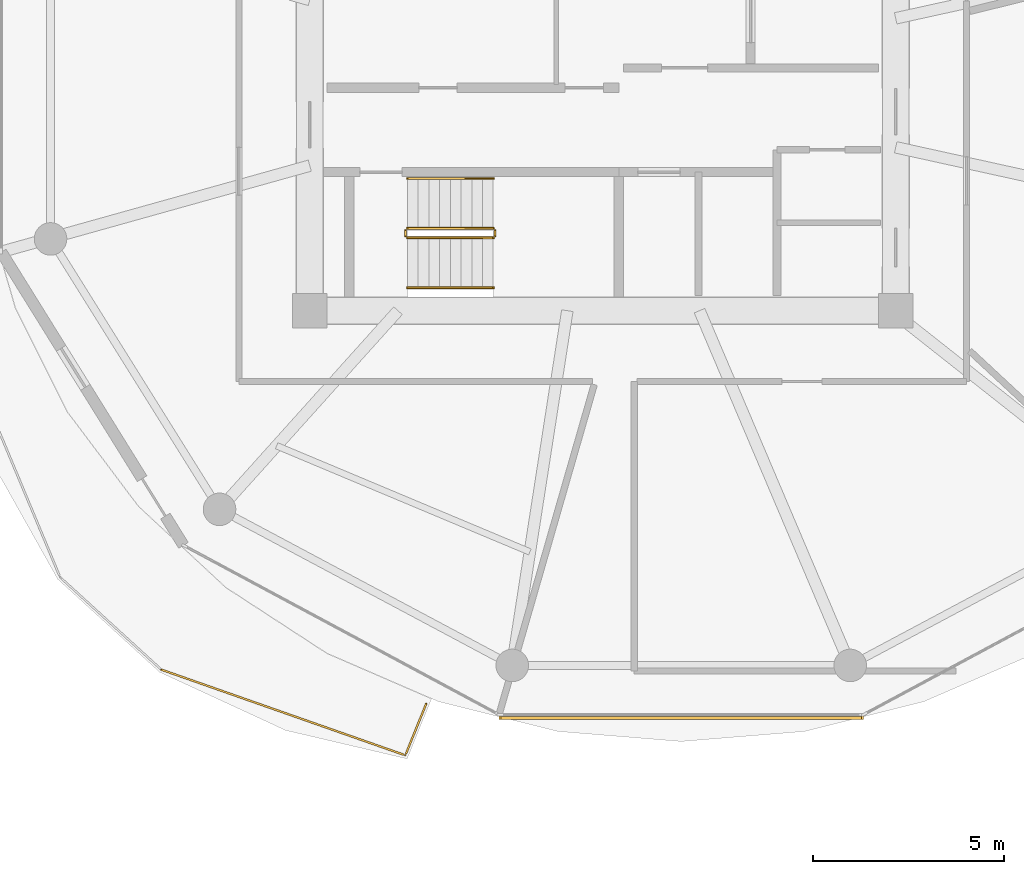
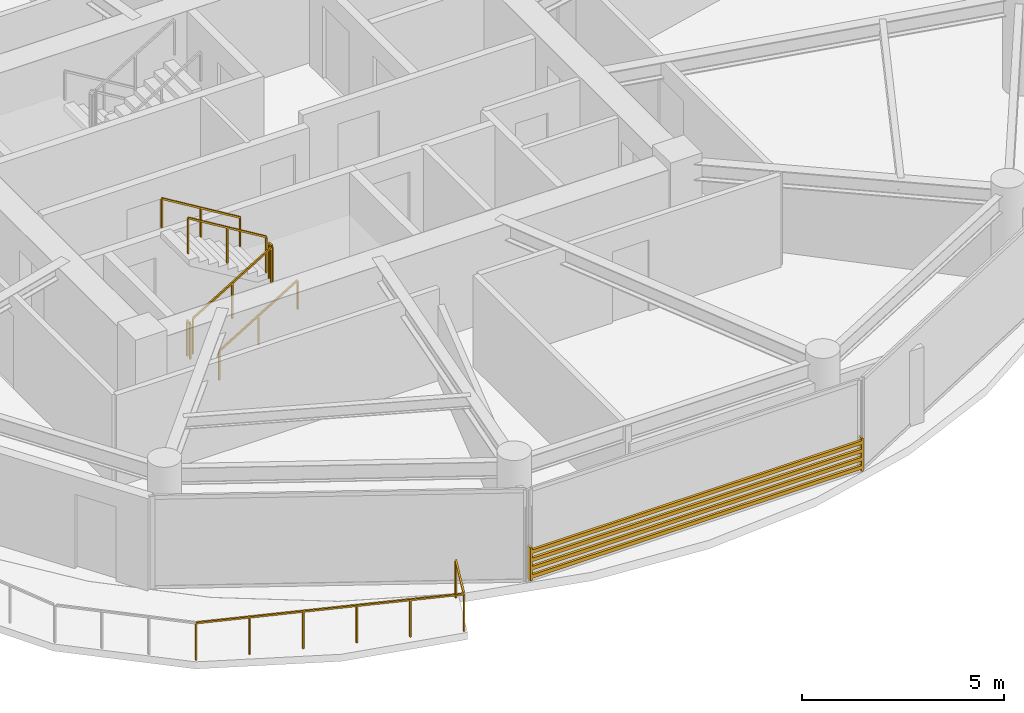
# One storey, part 19 of 23: 7 railings, 1 shading device.
"""IFC4 building model written with IfcOpenShell, lengths in metres."""

import ifcopenshell
import ifcopenshell.guid

model = None  # the IFC model being written
_history = None  # IfcOwnerHistory: only IFC2X3 demands one
_inside = {}  # id of a spatial element -> (the spatial element, [elements in it])
_under = {}  # id of a project, library or spatial element -> (it, [spatial elements below it])
_declared = {}  # id of a project -> (the project, [libraries it declares])
_typed = {}  # id of a type object -> (the type object, [elements of that type])
_made_of = {}  # id of a material, layer set ... -> (it, [elements and type objects made of it])


def new_model(schema):
    """Start an empty IFC model of exactly this schema.

    Asked for "IFC4X3", IfcOpenShell would pick the latest addendum, in which some entities
    have other attributes; the version numbers below select the first issue.
    IFC2X3 requires an IfcOwnerHistory on every rooted entity: one is made here for all.
    """
    global model, _history
    if schema == "IFC4X3":
        model = ifcopenshell.file(schema_version=(4, 3, 0, 0))
    else:
        model = ifcopenshell.file(schema=schema)
    _inside.clear()
    _under.clear()
    _declared.clear()
    _typed.clear()
    _made_of.clear()
    _history = None
    if model.schema == "IFC2X3":
        org = make("IfcOrganization", Name="unknown")
        user = make(
            "IfcPersonAndOrganization",
            ThePerson=make("IfcPerson", FamilyName="unknown"),
            TheOrganization=org,
        )
        app = make(
            "IfcApplication",
            ApplicationDeveloper=org,
            Version="unknown",
            ApplicationFullName="unknown",
            ApplicationIdentifier="unknown",
        )
        _history = make(
            "IfcOwnerHistory",
            OwningUser=user,
            OwningApplication=app,
            ChangeAction="ADDED",
            CreationDate=0,
        )
    return model


def make(cls, **values):
    """One entity of the class cls with the attributes given. An attribute that is None is left unset."""
    return model.create_entity(
        cls, **{name: value for name, value in values.items() if value is not None}
    )


def rooted(cls, **values):
    """An entity with a GlobalId (a new one), such as an element, a storey or a relation."""
    return make(cls, GlobalId=ifcopenshell.guid.new(), OwnerHistory=_history, **values)


def si_unit(unit_type, name, prefix=None):
    """IfcSIUnit, for example si_unit("LENGTHUNIT", "METRE", prefix="MILLI")."""
    return make("IfcSIUnit", UnitType=unit_type, Prefix=prefix, Name=name)


def assignment(units):
    """IfcUnitAssignment: the units of a project."""
    return None if units is None else make("IfcUnitAssignment", Units=units)


def point(xyz):
    """IfcCartesianPoint."""
    return None if xyz is None else make("IfcCartesianPoint", Coordinates=xyz)


def direction(xyz):
    """IfcDirection."""
    return None if xyz is None else make("IfcDirection", DirectionRatios=xyz)


def frame(location, z_axis=None, x_axis=None):
    """IfcAxis2Placement3D, a coordinate frame: its origin and axes. An axis left out is left unset."""
    return make(
        "IfcAxis2Placement3D",
        Location=point(location),
        Axis=direction(z_axis),
        RefDirection=direction(x_axis),
    )


def frame_2d(location, x_axis=None):
    """IfcAxis2Placement2D, a coordinate frame in the plane: its origin and x axis."""
    return make(
        "IfcAxis2Placement2D", Location=point(location), RefDirection=direction(x_axis)
    )


def origin():
    """The frame at (0, 0, 0) with its axes left unset."""
    return frame((0.0, 0.0, 0.0))


def origin_2d():
    """The frame at (0, 0) in the plane with its x axis left unset."""
    return frame_2d((0.0, 0.0))


def place(relative_to, where):
    """IfcLocalPlacement: puts the frame where relative to a parent placement (None: the world)."""
    return make(
        "IfcLocalPlacement", PlacementRelTo=relative_to, RelativePlacement=where
    )


def context(
    kind, dimensions, precision=None, world=None, true_north=None, identifier=None
):
    """IfcGeometricRepresentationContext, for example the 3D "Model" context."""
    return make(
        "IfcGeometricRepresentationContext",
        ContextIdentifier=identifier,
        ContextType=kind,
        CoordinateSpaceDimension=dimensions,
        Precision=precision,
        WorldCoordinateSystem=world,
        TrueNorth=true_north,
    )


def subcontext(parent, identifier, kind, view, scale=None):
    """IfcGeometricRepresentationSubContext, for example "Body" below "Model"."""
    return make(
        "IfcGeometricRepresentationSubContext",
        ContextIdentifier=identifier,
        ContextType=kind,
        ParentContext=parent,
        TargetScale=scale,
        TargetView=view,
    )


def project(units=None, contexts=None):
    """IfcProject with its units and contexts."""
    return rooted(
        "IfcProject",
        Name="project",
        RepresentationContexts=contexts,
        UnitsInContext=assignment(units),
    )


def spatial(cls, under=None, at=None, **own):
    """A site, building, storey or space (cls), placed at a placement, below another one or the project."""
    s = rooted(cls, ObjectPlacement=at, **own)
    if under is not None:
        _under.setdefault(under.id(), (under, []))[1].append(s)
    return s


def profile(cls, at=None, kind="AREA", **sizes):
    """A parametric profile (cls). Its sizes go by their IFC names, for example OverallWidth=200.0."""
    return make(cls, ProfileType=kind, Position=at, **sizes)


def rectangle(**sizes):
    """IfcRectangleProfileDef."""
    return profile("IfcRectangleProfileDef", **sizes)


def extrude(swept, where, along, depth):
    """IfcExtrudedAreaSolid: the profile swept, set in the frame where, extruded along a direction by depth."""
    return make(
        "IfcExtrudedAreaSolid",
        SweptArea=swept,
        Position=where,
        ExtrudedDirection=direction(along),
        Depth=depth,
    )


def shape(context_of_items, identifier, shape_type, items):
    """IfcShapeRepresentation: the items that make up one representation, for example the "Body"."""
    return make(
        "IfcShapeRepresentation",
        ContextOfItems=context_of_items,
        RepresentationIdentifier=identifier,
        RepresentationType=shape_type,
        Items=items,
    )


def source(mapping_origin, context_of_items, identifier, shape_type, items):
    """IfcRepresentationMap: a shape defined once, which mapped items show again and again."""
    return make(
        "IfcRepresentationMap",
        MappingOrigin=mapping_origin,
        MappedRepresentation=shape(context_of_items, identifier, shape_type, items),
    )


def transform(
    local_origin,
    x_axis=None,
    y_axis=None,
    z_axis=None,
    scale=None,
    scale2=None,
    scale3=None,
    uniform=True,
):
    """IfcCartesianTransformationOperator3D, or its non-uniform kind. x_axis, y_axis, z_axis: its Axis1, 2, 3."""
    if uniform:
        return make(
            "IfcCartesianTransformationOperator3D",
            Axis1=direction(x_axis),
            Axis2=direction(y_axis),
            LocalOrigin=point(local_origin),
            Scale=scale,
            Axis3=direction(z_axis),
        )
    return make(
        "IfcCartesianTransformationOperator3DnonUniform",
        Axis1=direction(x_axis),
        Axis2=direction(y_axis),
        LocalOrigin=point(local_origin),
        Scale=scale,
        Axis3=direction(z_axis),
        Scale2=scale2,
        Scale3=scale3,
    )


def mapped(mapping_source, mapping_target):
    """IfcMappedItem: shows the shape of a source again, moved by a transform."""
    return make(
        "IfcMappedItem", MappingSource=mapping_source, MappingTarget=mapping_target
    )


def material(Name=None, Category=None):
    """IfcMaterial."""
    return make("IfcMaterial", Name=Name, Category=Category)


def made_of(thing, what):
    """Note that an element or type object is made of a material, layer set ...; save() writes the relation."""
    if what is not None:
        _made_of.setdefault(what.id(), (what, []))[1].append(thing)
    return thing


def type_object(cls, material=None, **own):
    """A type object (cls), such as IfcWallType, which elements share."""
    return made_of(rooted(cls, **own), material)


def type_shapes(of_type, sources):
    """Give a type object the sources (RepresentationMaps) that its elements show as mapped items."""
    of_type.RepresentationMaps = sources


def element(
    cls,
    number,
    at=None,
    inside=None,
    cuts=None,
    type_object=None,
    material=None,
    context=None,
    identifier="Body",
    shape_type=None,
    held_by="IfcProductDefinitionShape",
    body=None,
    shapes=None,
    **own,
):
    """One element of the class cls, such as IfcWall. Its Tag is "e" and its number.

    at: its placement. inside: the storey or other place that contains it. cuts: it is an
    opening in that element (IfcRelVoidsElement). A single representation is given by context,
    identifier, shape_type and body (its items); several are given by shapes. held_by: the class
    of the entity that holds the representations. save() writes the other relations.
    """
    e = rooted(cls, Tag="e%d" % number, ObjectPlacement=at, **own)
    if body is not None:
        shapes = [shape(context, identifier, shape_type, body)]
    if shapes is not None:
        e.Representation = make(held_by, Representations=shapes)
    if inside is not None:
        _inside.setdefault(inside.id(), (inside, []))[1].append(e)
    if cuts is not None:
        rooted(
            "IfcRelVoidsElement", RelatingBuildingElement=cuts, RelatedOpeningElement=e
        )
    if type_object is not None:
        _typed.setdefault(type_object.id(), (type_object, []))[1].append(e)
    return made_of(e, material)


def aggregate(whole, parts):
    """IfcRelAggregates: a whole, such as a stair, and the parts it consists of."""
    return rooted("IfcRelAggregates", RelatingObject=whole, RelatedObjects=parts)


def save(model, path):
    """Write the relations noted so far, then the file.

    IfcRelAggregates (storeys below a building ...), IfcRelContainedInSpatialStructure (elements
    in a storey), IfcRelDefinesByType, IfcRelAssociatesMaterial and IfcRelDeclares: one each for
    every whole, place, type object, material and project.
    """
    for whole, parts in _under.values():
        aggregate(whole, parts)
    for where, things in _inside.values():
        rooted(
            "IfcRelContainedInSpatialStructure",
            RelatedElements=things,
            RelatingStructure=where,
        )
    for kind, things in _typed.values():
        rooted("IfcRelDefinesByType", RelatedObjects=things, RelatingType=kind)
    for what, things in _made_of.values():
        rooted("IfcRelAssociatesMaterial", RelatedObjects=things, RelatingMaterial=what)
    for by, libraries in _declared.values():
        rooted("IfcRelDeclares", RelatingContext=by, RelatedDefinitions=libraries)
    model.write(path)


model = new_model("IFC4")

# Units and contexts
model_context = context("Model", 3, precision=1e-05, world=origin(), true_north=direction((0.0, 1.0)))
body_context = subcontext(model_context, "Body", "Model", "MODEL_VIEW")
ifc_project = project(units=[si_unit("LENGTHUNIT", "METRE"), si_unit("AREAUNIT", "SQUARE_METRE"), si_unit("VOLUMEUNIT", "CUBIC_METRE"), si_unit("PLANEANGLEUNIT", "RADIAN"), si_unit("MASSUNIT", "GRAM", prefix="KILO")], contexts=[model_context])

# Site, building, storey
site_placement = place(None, origin())
site = spatial("IfcSite", under=ifc_project, at=site_placement, CompositionType="ELEMENT")
building_placement = place(site_placement, origin())
building = spatial("IfcBuilding", under=site, at=building_placement, Name="Norrkilde Senior Care Towers", CompositionType="ELEMENT")
storey_placement = place(building_placement, frame((0.0, 0.0, 93.199951171875)))
storey = spatial("IfcBuildingStorey", under=building, at=storey_placement, Name="L28", CompositionType="ELEMENT", Elevation=93.199951171875)

# Railings
ifc_material_1 = material(Name="Anodised Aluminium", Category="aluminium")
railing_type_1 = type_object("IfcRailingType", Name="Balcony Swirl Ribbon Guardrail 1150", PredefinedType="GUARDRAIL", material=ifc_material_1)
railing_1_placement = place(storey_placement, frame((-32.609375, -16.21484375, 0.0)))
element("IfcRailing", 1, at=railing_1_placement, inside=storey, type_object=railing_type_1, Name="L28 Perimeter Safety Guard 04", PredefinedType="GUARDRAIL", context=body_context, shape_type="SweptSolid", body=[
    extrude(rectangle(XDim=0.048095703125, YDim=0.048095703125, at=origin_2d()), frame((0.0, 0.0, 1.1259765625), z_axis=(-0.375650439653, -0.926761429489, 0.0), x_axis=(0.926761429489, -0.375650439653, 0.0)), (0.0, 0.0, 1.0), 1.410400390625),
    extrude(rectangle(XDim=0.048095703125, YDim=0.048095703125, at=origin_2d()), frame((-0.583740234375, -1.33154296875, 1.1259765625), z_axis=(-0.94354447192, 0.331245874704, 0.0), x_axis=(-0.331245874704, -0.94354447192, 0.0)), (0.0, 0.0, 1.0), 6.71044921875),
    extrude(rectangle(XDim=0.0419921875, YDim=0.0419921875, at=origin_2d()), origin(), (0.0, 0.0, 1.0), 1.099853515625),
    extrude(rectangle(XDim=0.0419921875, YDim=0.0419921875, at=origin_2d()), frame((-0.545166015625, -1.344970703125, 0.0)), (0.0, 0.0, 1.0), 1.099853515625),
    extrude(rectangle(XDim=0.0419921875, YDim=0.0419921875, at=origin_2d()), frame((-1.819091796875, -0.897705078125, 0.0)), (0.0, 0.0, 1.0), 1.099853515625),
    extrude(rectangle(XDim=0.0419921875, YDim=0.0419921875, at=origin_2d()), frame((-3.09326171875, -0.450439453125, 0.0)), (0.0, 0.0, 1.0), 1.099853515625),
    extrude(rectangle(XDim=0.0419921875, YDim=0.0419921875, at=origin_2d()), frame((-4.3671875, -0.003173828125, 0.0)), (0.0, 0.0, 1.0), 1.099853515625),
    extrude(rectangle(XDim=0.0419921875, YDim=0.0419921875, at=origin_2d()), frame((-5.641357421875, 0.444091796875, 0.0)), (0.0, 0.0, 1.0), 1.099853515625),
    extrude(rectangle(XDim=0.0419921875, YDim=0.0419921875, at=origin_2d()), frame((-6.915283203125, 0.891357421875, 0.0)), (0.0, 0.0, 1.0), 1.099853515625),
])
ifc_material_2 = material(Name="Stainless Steel", Category="steel")
railing_type_2 = type_object("IfcRailingType", Name="Stair and Terrace Guardrail 1100", PredefinedType="GUARDRAIL", material=ifc_material_2)
railing_2_placement = place(storey_placement, frame((-33.10009765625, -4.050048828125, 0.16943359375)))
element("IfcRailing", 2, at=railing_2_placement, inside=storey, type_object=railing_type_2, Name="L28 ST-W2 stair guard 1", PredefinedType="GUARDRAIL", context=body_context, shape_type="SweptSolid", body=[
    extrude(rectangle(XDim=0.048095703125, YDim=0.048095703125, at=origin_2d()), frame((0.0, 0.0, 1.076171875), z_axis=(0.855512035549, 0.0, 0.517782924622), x_axis=(0.0, 1.0, 0.0)), (0.0, 0.0, 1.0), 2.618408203125),
    extrude(rectangle(XDim=0.0419921875, YDim=0.0419921875, at=origin_2d()), origin(), (0.0, 0.0, 1.0), 1.050048828125),
    extrude(rectangle(XDim=0.0419921875, YDim=0.0419921875, at=origin_2d()), frame((1.1201171875, 0.0, 0.677734375)), (0.0, 0.0, 1.0), 1.050048828125),
    extrude(rectangle(XDim=0.0419921875, YDim=0.0419921875, at=origin_2d()), frame((2.239990234375, 0.0, 1.355712890625)), (0.0, 0.0, 1.0), 1.050048828125),
])
railing_3_placement = place(storey_placement, frame((-30.81005859375, -4.0, 1.525146484375)))
element("IfcRailing", 3, at=railing_3_placement, inside=storey, type_object=railing_type_2, Name="L28 ST-W2 stair guard 2", PredefinedType="GUARDRAIL", context=body_context, shape_type="SweptSolid", body=[
    extrude(rectangle(XDim=0.048095703125, YDim=0.048095703125, at=origin_2d()), frame((0.0, 0.0, 1.076171875), z_axis=(0.0, 1.0, 0.0), x_axis=(-1.0, 0.0, 0.0)), (0.0, 0.0, 1.0), 0.14990234375),
    extrude(rectangle(XDim=0.0419921875, YDim=0.0419921875, at=origin_2d()), origin(), (0.0, 0.0, 1.0), 1.050048828125),
    extrude(rectangle(XDim=0.0419921875, YDim=0.0419921875, at=origin_2d()), frame((0.0, 0.14990234375, 0.0)), (0.0, 0.0, 1.0), 1.050048828125),
])
railing_4_placement = place(storey_placement, frame((-30.860107421875, -3.800048828125, 1.694580078125)))
element("IfcRailing", 4, at=railing_4_placement, inside=storey, type_object=railing_type_2, Name="L28 ST-W2 stair guard 3", PredefinedType="GUARDRAIL", context=body_context, shape_type="SweptSolid", body=[
    extrude(rectangle(XDim=0.048095703125, YDim=0.048095703125, at=origin_2d()), frame((0.0, 0.0, 1.076171875), z_axis=(-0.855553338991, 0.0, 0.51771467445), x_axis=(0.0, -1.0, 0.0)), (0.0, 0.0, 1.0), 2.6181640625),
    extrude(rectangle(XDim=0.0419921875, YDim=0.0419921875, at=origin_2d()), origin(), (0.0, 0.0, 1.0), 1.050048828125),
    extrude(rectangle(XDim=0.0419921875, YDim=0.0419921875, at=origin_2d()), frame((-1.1201171875, 0.0, 0.677734375)), (0.0, 0.0, 1.0), 1.050048828125),
    extrude(rectangle(XDim=0.0419921875, YDim=0.0419921875, at=origin_2d()), frame((-2.239990234375, 0.0, 1.35546875)), (0.0, 0.0, 1.0), 1.050048828125),
])
railing_5_placement = place(storey_placement, frame((-33.14990234375, -4.0, 0.0)))
element("IfcRailing", 5, at=railing_5_placement, inside=storey, type_object=railing_type_2, Name="L28 ST-W2 stair guard 4", PredefinedType="GUARDRAIL", context=body_context, shape_type="SweptSolid", body=[
    extrude(rectangle(XDim=0.048095703125, YDim=0.048095703125, at=origin_2d()), frame((0.0, 0.0, 1.076171875), z_axis=(0.0, 1.0, 0.0), x_axis=(-1.0, 0.0, 0.0)), (0.0, 0.0, 1.0), 0.14990234375),
    extrude(rectangle(XDim=0.0419921875, YDim=0.0419921875, at=origin_2d()), origin(), (0.0, 0.0, 1.0), 1.050048828125),
    extrude(rectangle(XDim=0.0419921875, YDim=0.0419921875, at=origin_2d()), frame((0.0, 0.14990234375, 0.0)), (0.0, 0.0, 1.0), 1.050048828125),
])
ifc_material_3 = material(Name="Nordic Ash Timber", Category="wood")
railing_type_3 = type_object("IfcRailingType", Name="Wall and Stair Handrail 900", PredefinedType="HANDRAIL", material=ifc_material_3)
railing_6_placement = place(storey_placement, frame((-33.10009765625, -5.35009765625, 0.16943359375)))
element("IfcRailing", 6, at=railing_6_placement, inside=storey, type_object=railing_type_3, Name="L28 ST-W2 stair handrail 1", PredefinedType="HANDRAIL", context=body_context, shape_type="SweptSolid", body=[
    extrude(rectangle(XDim=0.048095703125, YDim=0.048095703125, at=origin_2d()), frame((0.0, 0.0, 0.8759765625), z_axis=(0.855512035549, 0.0, 0.517782924622), x_axis=(0.0, 1.0, 0.0)), (0.0, 0.0, 1.0), 2.618408203125),
    extrude(rectangle(XDim=0.0419921875, YDim=0.0419921875, at=origin_2d()), origin(), (0.0, 0.0, 1.0), 0.849853515625),
    extrude(rectangle(XDim=0.0419921875, YDim=0.0419921875, at=origin_2d()), frame((1.1201171875, 0.0, 0.677734375)), (0.0, 0.0, 1.0), 0.849853515625),
    extrude(rectangle(XDim=0.0419921875, YDim=0.0419921875, at=origin_2d()), frame((2.239990234375, 0.0, 1.355712890625)), (0.0, 0.0, 1.0), 0.849853515625),
])
railing_7_placement = place(storey_placement, frame((-30.860107421875, -2.5, 1.694580078125)))
element("IfcRailing", 7, at=railing_7_placement, inside=storey, type_object=railing_type_3, Name="L28 ST-W2 stair handrail 2", PredefinedType="HANDRAIL", context=body_context, shape_type="SweptSolid", body=[
    extrude(rectangle(XDim=0.048095703125, YDim=0.048095703125, at=origin_2d()), frame((0.0, 0.0, 0.8759765625), z_axis=(-0.855553338991, 0.0, 0.51771467445), x_axis=(0.0, -1.0, 0.0)), (0.0, 0.0, 1.0), 2.6181640625),
    extrude(rectangle(XDim=0.0419921875, YDim=0.0419921875, at=origin_2d()), origin(), (0.0, 0.0, 1.0), 0.849853515625),
    extrude(rectangle(XDim=0.0419921875, YDim=0.0419921875, at=origin_2d()), frame((-1.1201171875, 0.0, 0.677734375)), (0.0, 0.0, 1.0), 0.849853515625),
    extrude(rectangle(XDim=0.0419921875, YDim=0.0419921875, at=origin_2d()), frame((-2.239990234375, 0.0, 1.35546875)), (0.0, 0.0, 1.0), 0.849853515625),
])

# Shading device
ifc_material_4 = material(Name="Architectural Terracotta", Category="masonry")
shading_device_type = type_object("IfcShadingDeviceType", Name="Horizontal Terracotta Baguette Rack", PredefinedType="USERDEFINED", material=ifc_material_4)
shared_shape = source(origin(), body_context, "Body", "SweptSolid", [
    extrude(rectangle(XDim=0.070068359375, YDim=0.110107421875, at=origin_2d()), frame((0.0, 0.090087890625, 0.125), z_axis=(1.0, 0.0, 0.0), x_axis=(0.0, 1.0, 0.0)), (0.0, 0.0, 1.0), 9.51416015625),
    extrude(rectangle(XDim=0.070068359375, YDim=0.110107421875, at=origin_2d()), frame((0.0, 0.090087890625, 0.375), z_axis=(1.0, 0.0, 0.0), x_axis=(0.0, 1.0, 0.0)), (0.0, 0.0, 1.0), 9.51416015625),
    extrude(rectangle(XDim=0.070068359375, YDim=0.110107421875, at=origin_2d()), frame((0.0, 0.090087890625, 0.625), z_axis=(1.0, 0.0, 0.0), x_axis=(0.0, 1.0, 0.0)), (0.0, 0.0, 1.0), 9.51416015625),
    extrude(rectangle(XDim=0.070068359375, YDim=0.110107421875, at=origin_2d()), frame((0.0, 0.090087890625, 0.875), z_axis=(1.0, 0.0, 0.0), x_axis=(0.0, 1.0, 0.0)), (0.0, 0.0, 1.0), 9.51416015625),
    extrude(rectangle(XDim=0.050048828125, YDim=0.1552734375, at=origin_2d()), frame((0.02490234375, 0.047607421875, 0.0)), (0.0, 0.0, 1.0), 1.0),
    extrude(rectangle(XDim=0.050048828125, YDim=0.1552734375, at=origin_2d()), frame((9.4892578125, 0.047607421875, 0.0)), (0.0, 0.0, 1.0), 1.0),
])
type_shapes(shading_device_type, [shared_shape])
shading_device_placement = place(storey_placement, frame((-21.19287109375, -16.498046875, 0.080078125), z_axis=(0.0, 0.0, 1.0), x_axis=(-1.0, 0.0, 0.0)))
element("IfcShadingDevice", 8, at=shading_device_placement, inside=storey, type_object=shading_device_type, Name="L28 Drum W Terracotta Baguette Screen 08", ObjectType="BAGUETTE", PredefinedType="USERDEFINED", context=body_context, shape_type="MappedRepresentation", body=[
    mapped(shared_shape, transform((0.0, 0.0, 0.0), x_axis=(1.0, 0.0, 0.0), y_axis=(0.0, 1.0, 0.0), z_axis=(0.0, 0.0, 1.0), scale=1.0)),
])

save(model, "model.ifc")
